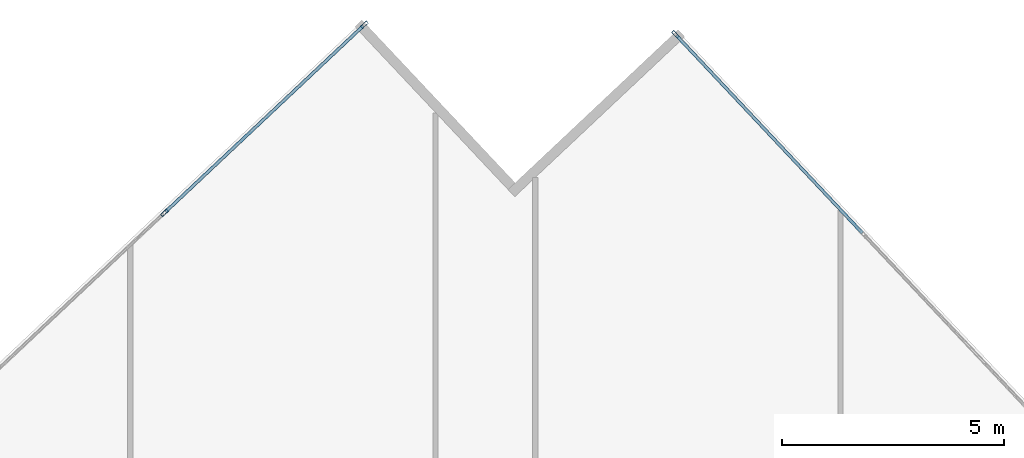
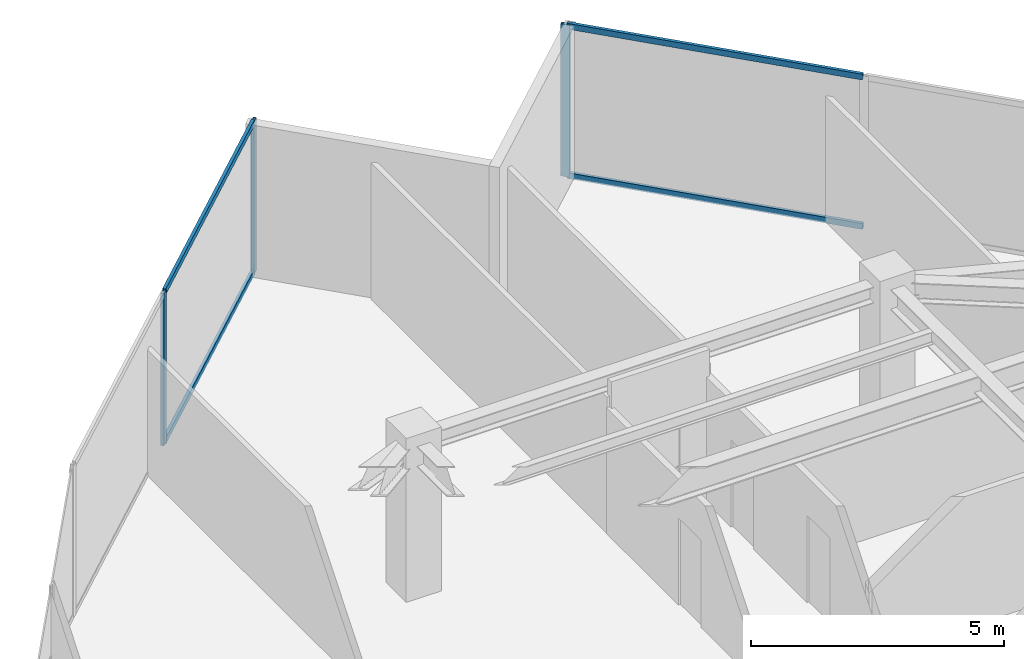
# One storey, part 16 of 24: 7 members, 2 elements without a shape of their own.
"""IFC4 building model written with IfcOpenShell, lengths in metres."""

from ifc_helpers import new_model, si_unit, direction, frame, origin, origin_2d, place, context, subcontext, project, spatial, hollow_rectangle, extrude, source, transform, mapped, material, material_profile, profile_set, type_object, type_shapes, element, aggregate, save


model = new_model("IFC4")

# Units and contexts
model_context = context("Model", 3, precision=1e-05, world=origin(), true_north=direction((0.0, 1.0)))
body_context = subcontext(model_context, "Body", "Model", "MODEL_VIEW")
ifc_project = project(units=[si_unit("LENGTHUNIT", "METRE"), si_unit("AREAUNIT", "SQUARE_METRE"), si_unit("VOLUMEUNIT", "CUBIC_METRE"), si_unit("PLANEANGLEUNIT", "RADIAN"), si_unit("MASSUNIT", "GRAM", prefix="KILO")], contexts=[model_context])

# Site, building, storey
site_placement = place(None, origin())
site = spatial("IfcSite", under=ifc_project, at=site_placement, CompositionType="ELEMENT")
building_placement = place(site_placement, origin())
building = spatial("IfcBuilding", under=site, at=building_placement, Name="Krantzveldt Concourse Tower", CompositionType="ELEMENT")
storey_placement = place(building_placement, frame((0.0, 0.0, 246.800048828125)))
storey = spatial("IfcBuildingStorey", under=building, at=storey_placement, Name="L60", CompositionType="ELEMENT", Elevation=246.800048828125)

# Curtain wall, members
ifc_material = material(Name="Anodised aluminium 6063-T6", Category="aluminium")
curtain_wall_type = type_object("IfcCurtainWallType", Name="CW3", PredefinedType="USERDEFINED", material=ifc_material)
curtain_wall_1_placement = place(storey_placement, origin())
curtain_wall_1 = element("IfcCurtainWall", 1, at=curtain_wall_1_placement, inside=storey, type_object=curtain_wall_type, Name="CW-L60-F01", ObjectType="UNITISED CURTAIN WALL", PredefinedType="USERDEFINED")
ifc_material_profile_1 = material_profile(ifc_material, hollow_rectangle(XDim=0.070068359375, YDim=0.179931640625, WallThickness=0.0048828125, at=origin_2d()), Name="Anodised aluminium 6063-T6", Category="aluminium")
ifc_profile_set_1 = profile_set([ifc_material_profile_1], Name="Anodised aluminium 6063-T6 - ALU-MULL 180x70x5")
member_type_1 = type_object("IfcMemberType", Name="CW-MUL-180", PredefinedType="MULLION", material=ifc_profile_set_1)
shared_shape_1 = source(origin(), body_context, "Body", "SweptSolid", [
    extrude(hollow_rectangle(XDim=0.070068359375, YDim=0.179931640625, WallThickness=0.0048828125, at=origin_2d()), origin(), (0.0, 0.0, 1.0), 3.669921875),
])
type_shapes(member_type_1, [shared_shape_1])
member_1_placement = place(storey_placement, frame((33.27978515625, 52.162353515625, 0.0), z_axis=(0.0, 0.0, 1.0), x_axis=(0.685182945184, -0.728371012348, 0.0)))
member_1 = element("IfcMember", 2, at=member_1_placement, type_object=member_type_1, Name="CW-Z34 mullion 1", PredefinedType="MULLION", context=body_context, shape_type="MappedRepresentation", body=[
    mapped(shared_shape_1, transform((0.0, 0.0, 0.0), x_axis=(1.0, 0.0, 0.0), y_axis=(0.0, 1.0, 0.0), z_axis=(0.0, 0.0, 1.0), scale=1.0)),
])
member_2_placement = place(storey_placement, frame((28.789306640625, 47.938232421875, 0.0), z_axis=(0.0, 0.0, 1.0), x_axis=(0.685182945184, -0.728371012348, 0.0)))
member_2 = element("IfcMember", 3, at=member_2_placement, type_object=member_type_1, Name="CW-Z34 mullion 2", PredefinedType="MULLION", context=body_context, shape_type="MappedRepresentation", body=[
    mapped(shared_shape_1, transform((0.0, 0.0, 0.0), x_axis=(1.0, 0.0, 0.0), y_axis=(0.0, 1.0, 0.0), z_axis=(0.0, 0.0, 1.0), scale=1.0)),
])

# Curtain wall, member
curtain_wall_2_placement = place(storey_placement, origin())
curtain_wall_2 = element("IfcCurtainWall", 4, at=curtain_wall_2_placement, inside=storey, type_object=curtain_wall_type, Name="CW-L60-F14", ObjectType="UNITISED CURTAIN WALL", PredefinedType="USERDEFINED")
member_3_placement = place(storey_placement, frame((40.269775390625, 51.94873046875, 0.0), z_axis=(0.0, 0.0, 1.0), x_axis=(-0.728371012348, -0.685182945184, 0.0)))
member_3 = element("IfcMember", 5, at=member_3_placement, type_object=member_type_1, Name="CW-Z34 mullion 6", PredefinedType="MULLION", context=body_context, shape_type="MappedRepresentation", body=[
    mapped(shared_shape_1, transform((0.0, 0.0, 0.0), x_axis=(1.0, 0.0, 0.0), y_axis=(0.0, 1.0, 0.0), z_axis=(0.0, 0.0, 1.0), scale=1.0)),
])

# Member
ifc_material_profile_2 = material_profile(ifc_material, hollow_rectangle(XDim=0.070068359375, YDim=0.139892578125, WallThickness=0.0048828125, at=origin_2d()), Name="Anodised aluminium 6063-T6", Category="aluminium")
ifc_profile_set_2 = profile_set([ifc_material_profile_2], Name="Anodised aluminium 6063-T6 - ALU-TRAN 140x70x5")
member_type_2 = type_object("IfcMemberType", Name="CW-TRN-150", PredefinedType="USERDEFINED", material=ifc_profile_set_2)
shared_shape_2 = source(origin(), body_context, "Body", "SweptSolid", [
    extrude(hollow_rectangle(XDim=0.070068359375, YDim=0.139892578125, WallThickness=0.0048828125, at=origin_2d()), origin(), (0.0, 0.0, 1.0), 6.094970703125),
])
type_shapes(member_type_2, [shared_shape_2])
member_4_placement = place(storey_placement, frame((33.254150390625, 52.138427734375, 0.034912109375), z_axis=(-0.728366954224, -0.685187259072, 0.0), x_axis=(0.685187259072, -0.728366954224, 0.0)))
member_4 = element("IfcMember", 6, at=member_4_placement, type_object=member_type_2, Name="CW-Z34 transom 1.1", ObjectType="TRANSOM", PredefinedType="USERDEFINED", context=body_context, shape_type="MappedRepresentation", body=[
    mapped(shared_shape_2, transform((0.0, 0.0, 0.0), x_axis=(1.0, 0.0, 0.0), y_axis=(0.0, 1.0, 0.0), z_axis=(0.0, 0.0, 1.0), scale=1.0)),
])

member_5_placement = place(storey_placement, frame((33.254150390625, 52.138427734375, 3.635009765625), z_axis=(-0.728366954224, -0.685187259072, 0.0), x_axis=(0.685187259072, -0.728366954224, 0.0)))
member_5 = element("IfcMember", 7, at=member_5_placement, type_object=member_type_2, Name="CW-Z34 transom 1.2", ObjectType="TRANSOM", PredefinedType="USERDEFINED", context=body_context, shape_type="MappedRepresentation", body=[
    mapped(shared_shape_2, transform((0.0, 0.0, 0.0), x_axis=(1.0, 0.0, 0.0), y_axis=(0.0, 1.0, 0.0), z_axis=(0.0, 0.0, 1.0), scale=1.0)),
])

aggregate(curtain_wall_1, [member_1, member_2, member_4, member_5])

member_6_placement = place(storey_placement, frame((44.469970703125, 47.48388671875, 0.034912109375), z_axis=(-0.685187259072, 0.728366954224, 0.0), x_axis=(-0.728366954224, -0.685187259072, 0.0)))
member_6 = element("IfcMember", 8, at=member_6_placement, type_object=member_type_2, Name="CW-Z34 transom 5.1", ObjectType="TRANSOM", PredefinedType="USERDEFINED", context=body_context, shape_type="MappedRepresentation", body=[
    mapped(shared_shape_2, transform((0.0, 0.0, 0.0), x_axis=(1.0, 0.0, 0.0), y_axis=(0.0, 1.0, 0.0), z_axis=(0.0, 0.0, 1.0), scale=1.0)),
])

member_7_placement = place(storey_placement, frame((44.469970703125, 47.48388671875, 3.635009765625), z_axis=(-0.685187259072, 0.728366954224, 0.0), x_axis=(-0.728366954224, -0.685187259072, 0.0)))
member_7 = element("IfcMember", 9, at=member_7_placement, type_object=member_type_2, Name="CW-Z34 transom 5.2", ObjectType="TRANSOM", PredefinedType="USERDEFINED", context=body_context, shape_type="MappedRepresentation", body=[
    mapped(shared_shape_2, transform((0.0, 0.0, 0.0), x_axis=(1.0, 0.0, 0.0), y_axis=(0.0, 1.0, 0.0), z_axis=(0.0, 0.0, 1.0), scale=1.0)),
])

aggregate(curtain_wall_2, [member_3, member_6, member_7])

save(model, "model.ifc")
